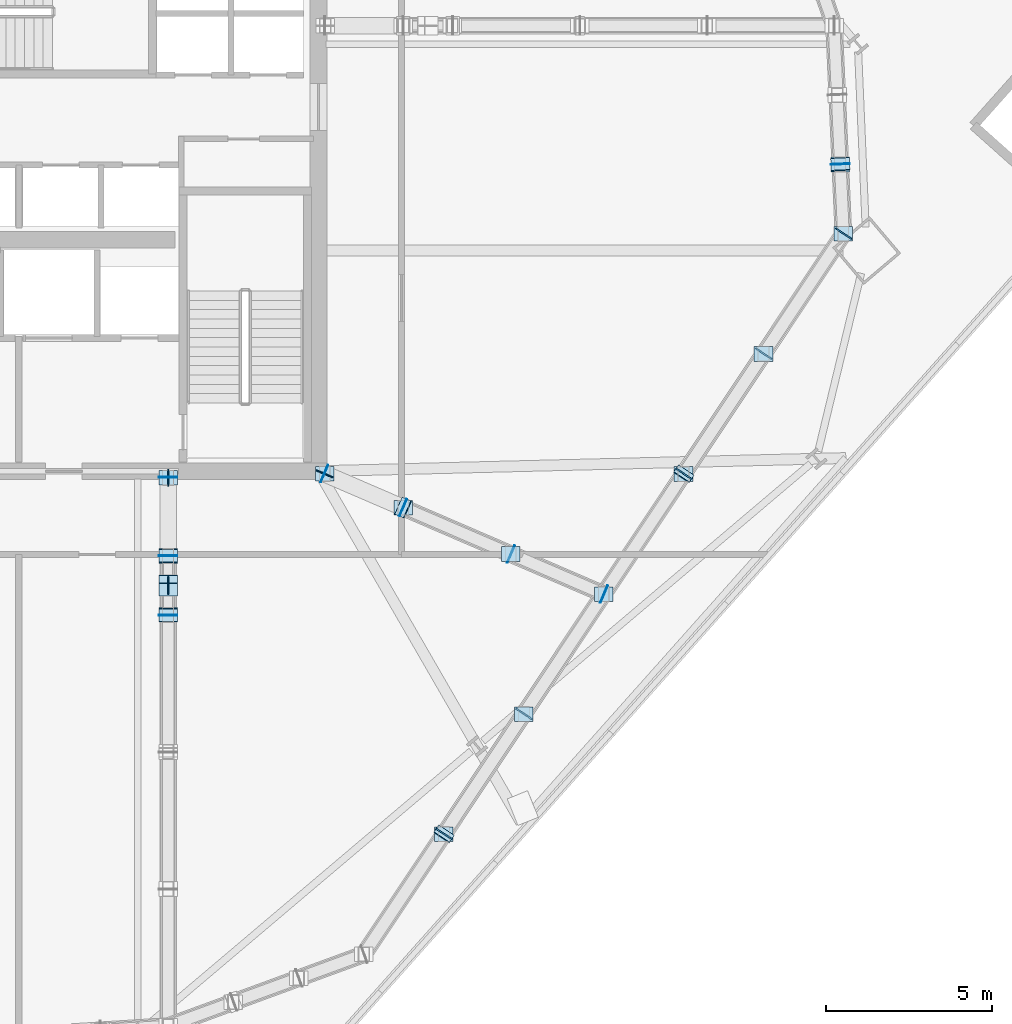
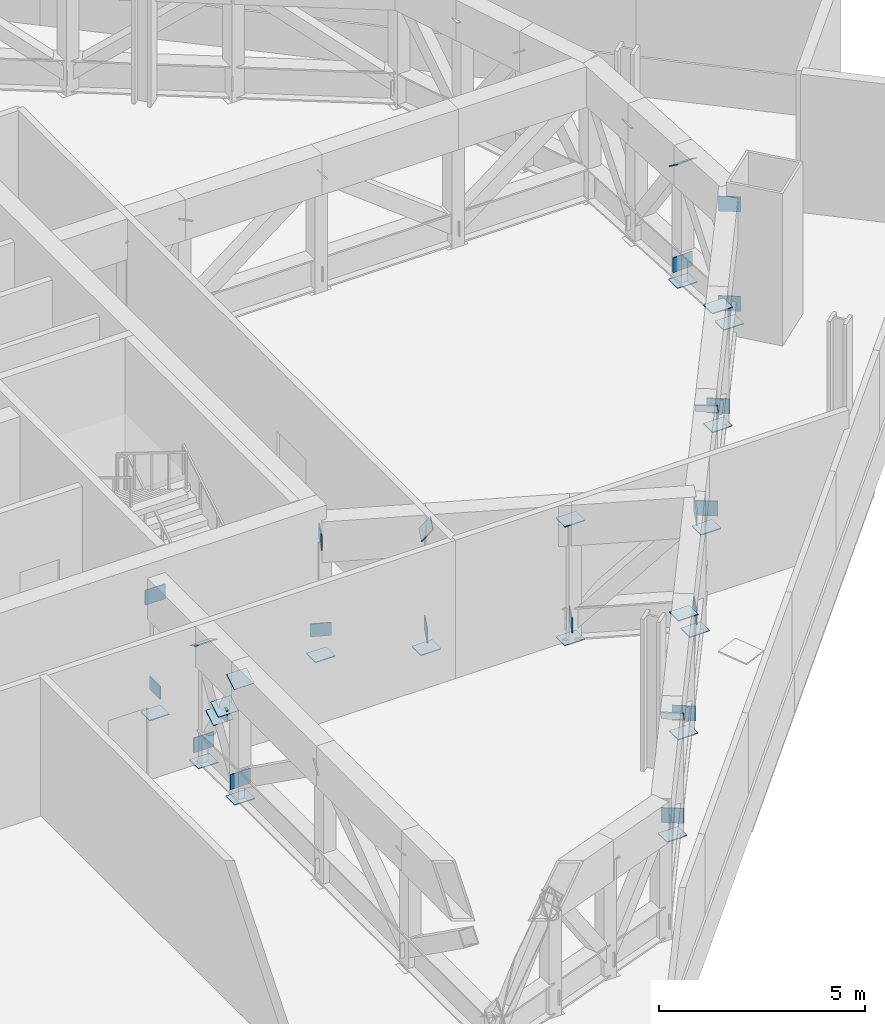
# One storey, part 9 of 18: 42 plates.
"""IFC4 building model written with IfcOpenShell, lengths in metres."""

from ifc_helpers import new_model, si_unit, direction, frame, origin, origin_2d, place, context, subcontext, project, spatial, rectangle, extrude, source, transform, mapped, material, layer, layer_set, type_object, element, save


model = new_model("IFC4")

# Units and contexts
model_context = context("Model", 3, precision=1e-05, world=origin(), true_north=direction((0.0, 1.0)))
body_context = subcontext(model_context, "Body", "Model", "MODEL_VIEW")
ifc_project = project(units=[si_unit("LENGTHUNIT", "METRE"), si_unit("AREAUNIT", "SQUARE_METRE"), si_unit("VOLUMEUNIT", "CUBIC_METRE"), si_unit("PLANEANGLEUNIT", "RADIAN"), si_unit("MASSUNIT", "GRAM", prefix="KILO")], contexts=[model_context])

# Site, building, storey
site_placement = place(None, origin())
site = spatial("IfcSite", under=ifc_project, at=site_placement, CompositionType="ELEMENT")
building_placement = place(site_placement, origin())
building = spatial("IfcBuilding", under=site, at=building_placement, Name="Haldenkirk Collegiate Tower", CompositionType="ELEMENT")
storey_placement = place(building_placement, frame((0.0, 0.0, 189.449951171875)))
storey = spatial("IfcBuildingStorey", under=building, at=storey_placement, Name="L47", CompositionType="ELEMENT", Elevation=189.449951171875)

# Plates
ifc_material = material(Name="Steel ASTM A572 Grade 50", Category="steel")
ifc_layer_1 = layer(ifc_material, 0.028076171875)
ifc_layer_set_1 = layer_set([ifc_layer_1], Name="Steel ASTM A572 Grade 50")
plate_type_1 = type_object("IfcPlateType", Name="PLT-CAP-INT-560X440", PredefinedType="USERDEFINED", material=ifc_layer_set_1)
shared_shape_1 = source(origin(), body_context, "Body", "SweptSolid", [
    extrude(rectangle(XDim=0.56005859375, YDim=0.43994140625, at=origin_2d()), origin(), (0.0, 0.0, 1.0), 0.028076171875),
])
for number, where, z_axis, x_axis, name in (
    (1, (40.482666015625, 17.796875, 3.489990234375), (0.0, 1.0, 0.0), (-1.0, 0.0, 0.0), "Outrigger Truss L47 Radial 01 top chord 1 end cap plate 1"),
    (2, (40.482666015625, 15.44677734375, 0.550048828125), (0.0, 1.0, 0.0), (-1.0, 0.0, 0.0), "Outrigger Truss L47 Radial 01 bottom chord 2 end plate 1"),
    (3, (40.482666015625, 13.68603515625, 0.550048828125), (0.0, -1.0, 0.0), (1.0, 0.0, 0.0), "Outrigger Truss L47 Radial 01 bottom chord 2 end plate 2"),
    (4, (40.482666015625, 15.448486328125, 3.487548828125), (0.0, 0.515095776215, 0.857132627617), (-1.0, 0.0, 0.0), "Outrigger Truss L47 Radial 01 web diagonal 2 end cap plate 1"),
    (5, (40.482666015625, 14.69189453125, 1.811767578125), (0.0, -0.515103861128, 0.857127768918), (1.0, 0.0, 0.0), "Outrigger Truss L47 Radial 01 split X-brace diagonal 2A end cap plate 2"),
    (6, (40.482666015625, 14.44140625, 2.228271484375), (0.0, 0.515103861128, -0.857127768918), (-1.0, 0.0, 0.0), "Outrigger Truss L47 Radial 01 split X-brace diagonal 2B end cap plate 1"),
    (7, (40.482666015625, 13.684814453125, 3.487548828125), (0.0, -0.515103861128, 0.857127768918), (1.0, 0.0, 0.0), "Outrigger Truss L47 Radial 01 split X-brace diagonal 2B end cap plate 2"),
    (8, (40.482666015625, 17.800048828125, 0.0029296875), (0.0, 0.0, -1.0), (1.0, 0.0, 0.0), "Outrigger Truss L47 Radial 01 vertical post 1 end cap plate 1"),
    (9, (40.482666015625, 15.449951171875, 0.0029296875), (0.0, 0.0, -1.0), (1.0, 0.0, 0.0), "Outrigger Truss L47 Radial 01 vertical post 2 end cap plate 1"),
    (10, (40.482666015625, 13.68310546875, 0.0029296875), (0.0, 0.0, -1.0), (1.0, 0.0, 0.0), "Outrigger Truss L47 Radial 01 vertical post 3 end cap plate 1"),
    (11, (45.1865234375, 17.919677734375, 3.489990234375), (-0.918318169993, 0.395843073276, 0.0), (-0.395843073276, -0.918318169993, 0.0), "Outrigger Truss L47 Radial 05 top chord 1 end cap plate 1"),
    (12, (47.552734375, 16.899658203125, 0.550048828125), (-0.918310893329, 0.395859954017, 0.0), (-0.395859954017, -0.918310893329, 0.0), "Outrigger Truss L47 Radial 05 bottom chord 2 end plate 1"),
    (13, (50.76806640625, 15.513427734375, 0.550048828125), (0.918310893329, -0.395859954017, 0.0), (0.395859954017, 0.918310893329, 0.0), "Outrigger Truss L47 Radial 05 bottom chord 2 end plate 2"),
    (14, (47.552001953125, 16.89990234375, 3.488037109375), (-0.703757117698, 0.30339205074, 0.642401107437), (-0.395882805132, -0.91830104247, -1.64094e-07), "Outrigger Truss L47 Radial 05 web diagonal 2 end cap plate 1"),
    (15, (53.5615234375, 14.309326171875, 3.489990234375), (0.918316559255, -0.395846810014, 0.0), (0.395846810014, 0.918316559255, 0.0), "Outrigger Truss L47 Radial 05 top chord 3 end cap plate 2"),
    (16, (53.5615234375, 14.309326171875, 0.550048828125), (0.918310893329, -0.395859954017, 0.0), (0.395859954017, 0.918310893329, 0.0), "Outrigger Truss L47 Radial 05 bottom chord 3 end plate 2"),
    (17, (45.18359375, 17.9208984375, 0.0029296875), (0.0, 0.0, -1.0), (1.0, 0.0, 0.0), "Outrigger Truss L47 Radial 05 vertical post 1 end cap plate 1"),
    (18, (47.550048828125, 16.90087890625, 0.0029296875), (0.0, 0.0, -1.0), (1.0, 0.0, 0.0), "Outrigger Truss L47 Radial 05 vertical post 2 end cap plate 1"),
    (19, (50.770751953125, 15.51220703125, 0.0029296875), (0.0, 0.0, -1.0), (1.0, 0.0, 0.0), "Outrigger Truss L47 Radial 05 vertical post 3 end cap plate 1"),
    (20, (50.770751953125, 15.51220703125, 3.48681640625), (0.0, 0.0, 1.0), (1.0, 0.0, 0.0), "Outrigger Truss L47 Radial 05 vertical post 3 end cap plate 2"),
    (21, (53.564453125, 14.30810546875, 0.0029296875), (0.0, 0.0, -1.0), (1.0, 0.0, 0.0), "Outrigger Truss L47 Radial 05 vertical post 4 end cap plate 1"),
    (22, (48.76171875, 7.09326171875, 0.550048828125), (0.554115752018, 0.83243962746, 0.0), (-0.83243962746, 0.554115752018, 0.0), "Belt Truss L47-02 bottom chord 1 end plate 2"),
    (23, (48.76220703125, 7.09375, 3.488525390625), (0.458493874731, 0.688790811809, 0.561560846571), (-0.83244064261, 0.554114226971, 2.62631e-07), "Belt Truss L47-02 web diagonal 1 end cap plate 2"),
    (24, (51.162353515625, 10.699462890625, 0.550048828125), (0.554115752018, 0.83243962746, 0.0), (-0.83243962746, 0.554115752018, 0.0), "Belt Truss L47-02 bottom chord 2 end plate 2"),
    (25, (48.763427734375, 7.095703125, 0.0029296875), (0.0, 0.0, -1.0), (1.0, 0.0, 0.0), "Belt Truss L47-02 vertical post 2 end cap plate 1"),
    (26, (51.1640625, 10.701904296875, 0.0029296875), (0.0, 0.0, -1.0), (1.0, 0.0, 0.0), "Belt Truss L47-02 vertical post 3 end cap plate 1"),
    (27, (51.1640625, 10.701904296875, 3.48681640625), (0.0, 0.0, 1.0), (1.0, 0.0, 0.0), "Belt Truss L47-02 vertical post 3 end cap plate 2"),
    (28, (55.963134765625, 17.91162109375, 0.550048828125), (0.554121061857, 0.832436092926, 0.0), (-0.832436092926, 0.554121061857, 0.0), "Belt Truss L47-03 bottom chord 1 end plate 2"),
    (29, (55.963623046875, 17.912109375, 3.488525390625), (0.458508903612, 0.688784855203, 0.561555881949), (-0.832430000646, 0.554130213962, 1.20633e-07), "Belt Truss L47-03 web diagonal 1 end cap plate 2"),
    (30, (58.363525390625, 21.517822265625, 0.550048828125), (0.554121061857, 0.832436092926, 0.0), (-0.832436092926, 0.554121061857, 0.0), "Belt Truss L47-03 bottom chord 2 end plate 2"),
    (31, (60.76416015625, 25.1240234375, 3.489990234375), (0.554130065997, 0.832430099142, 0.0), (-0.832430099142, 0.554130065997, 0.0), "Belt Truss L47-03 top chord 3 end cap plate 2"),
    (32, (60.76416015625, 25.1240234375, 0.550048828125), (0.554121061857, 0.832436092926, 0.0), (-0.832436092926, 0.554121061857, 0.0), "Belt Truss L47-03 bottom chord 3 end plate 2"),
    (33, (55.96484375, 17.914306640625, 0.0029296875), (0.0, 0.0, -1.0), (1.0, 0.0, 0.0), "Belt Truss L47-03 vertical post 2 end cap plate 1"),
    (34, (58.365234375, 21.5205078125, 0.0029296875), (0.0, 0.0, -1.0), (1.0, 0.0, 0.0), "Belt Truss L47-03 vertical post 3 end cap plate 1"),
    (35, (58.365234375, 21.5205078125, 3.48681640625), (0.0, 0.0, 1.0), (1.0, 0.0, 0.0), "Belt Truss L47-03 vertical post 3 end cap plate 2"),
    (36, (60.765869140625, 25.12646484375, 0.0029296875), (0.0, 0.0, -1.0), (1.0, 0.0, 0.0), "Belt Truss L47-03 vertical post 4 end cap plate 1"),
    (37, (60.6728515625, 27.20947265625, 0.550048828125), (-0.044622995445, 0.999003898029, 0.0), (-0.999003898029, -0.044622995445, 0.0), "Belt Truss L47-04 bottom chord 1 end plate 2"),
    (38, (60.672607421875, 27.210693359375, 3.487548828125), (-0.025846007061, 0.578433158027, 0.815320222743), (-0.999003194003, -0.044638754143, 3.58047e-07), "Belt Truss L47-04 web diagonal 1 end cap plate 2"),
    (39, (60.672607421875, 27.21240234375, 0.0029296875), (0.0, 0.0, -1.0), (1.0, 0.0, 0.0), "Belt Truss L47-04 vertical post 2 end cap plate 1"),
):
    element("IfcPlate", number, at=place(storey_placement, frame(where, z_axis=z_axis, x_axis=x_axis)), inside=storey, type_object=plate_type_1, Name=name, ObjectType="END CAP PLATE", PredefinedType="USERDEFINED", context=body_context, shape_type="MappedRepresentation", body=[
        mapped(shared_shape_1, transform((0.0, 0.0, 0.0), x_axis=(1.0, 0.0, 0.0), y_axis=(0.0, 1.0, 0.0), z_axis=(0.0, 0.0, 1.0), scale=1.0)),
    ])
ifc_layer_2 = layer(ifc_material, 0.031982421875)
ifc_layer_set_2 = layer_set([ifc_layer_2], Name="Steel ASTM A572 Grade 50")
plate_type_2 = type_object("IfcPlateType", Name="PLT-GUSSET-INT-520X380", PredefinedType="USERDEFINED", material=ifc_layer_set_2)
shared_shape_2 = source(origin(), body_context, "Body", "SweptSolid", [
    extrude(rectangle(XDim=0.52001953125, YDim=0.031982421875, at=origin_2d()), origin(), (0.0, 0.0, 1.0), 0.3798828125),
])
for number, where, z_axis, x_axis, name in (
    (40, (40.482666015625, 14.566650390625, 1.830078125), (0.0, 0.0, 1.0), (0.0, -1.0, 0.0), "Outrigger Truss L47 Radial 01 X-brace crossing gusset plate 2"),
    (41, (40.482666015625, 17.800048828125, 0.550048828125), (0.0, 0.0, 1.0), (0.0, -1.0, 0.0), "Outrigger Truss L47 Radial 01 bottom node gusset plate 1"),
    (42, (45.18359375, 17.9208984375, 0.550048828125), (0.0, 0.0, 1.0), (0.918310969334, -0.395859777699, 0.0), "Outrigger Truss L47 Radial 05 bottom node gusset plate 1"),
):
    element("IfcPlate", number, at=place(storey_placement, frame(where, z_axis=z_axis, x_axis=x_axis)), inside=storey, type_object=plate_type_2, Name=name, ObjectType="GUSSET PLATE", PredefinedType="USERDEFINED", context=body_context, shape_type="MappedRepresentation", body=[
        mapped(shared_shape_2, transform((0.0, 0.0, 0.0), x_axis=(1.0, 0.0, 0.0), y_axis=(0.0, 1.0, 0.0), z_axis=(0.0, 0.0, 1.0), scale=1.0)),
    ])

save(model, "model.ifc")
